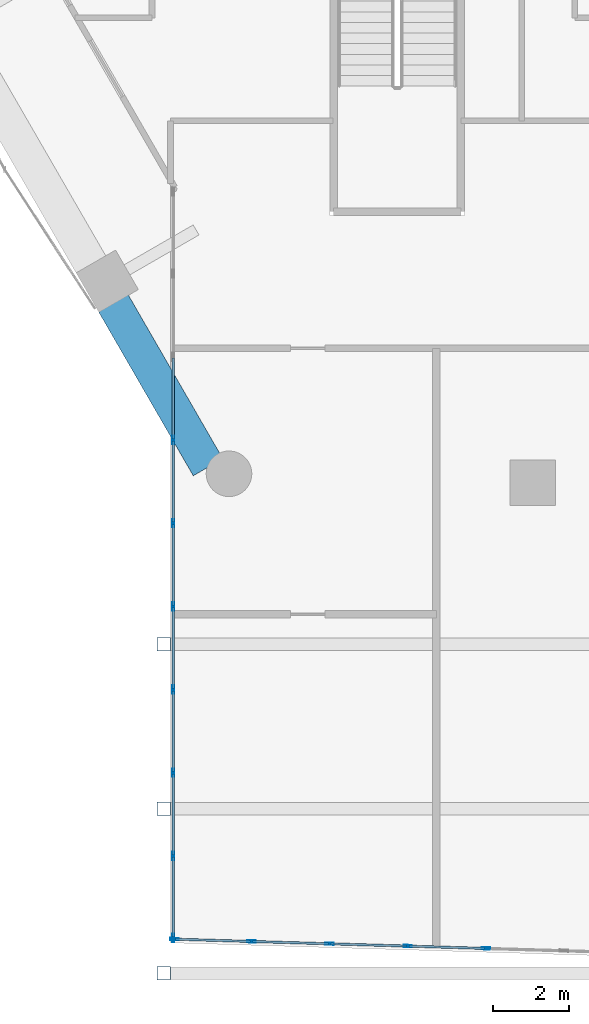
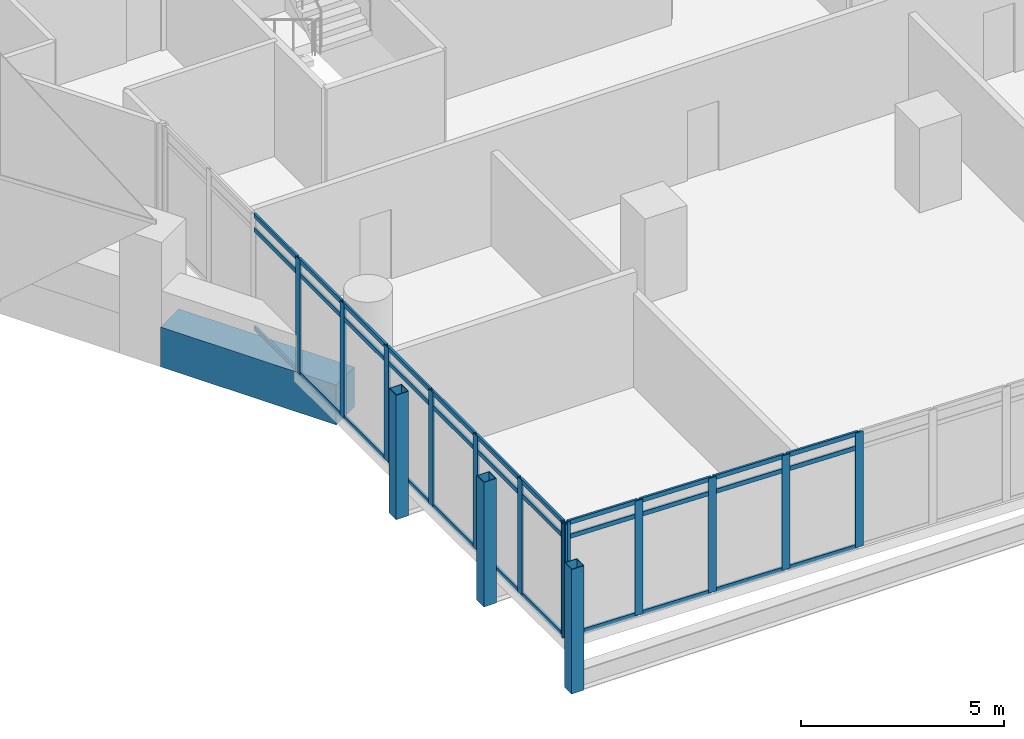
# One storey, part 2 of 36: 48 members, 1 beam, 2 elements without a shape of their own.
"""IFC4 building model written with IfcOpenShell, lengths in metres."""

import ifcopenshell
import ifcopenshell.guid

model = None  # the IFC model being written
_history = None  # IfcOwnerHistory: only IFC2X3 demands one
_inside = {}  # id of a spatial element -> (the spatial element, [elements in it])
_under = {}  # id of a project, library or spatial element -> (it, [spatial elements below it])
_declared = {}  # id of a project -> (the project, [libraries it declares])
_typed = {}  # id of a type object -> (the type object, [elements of that type])
_made_of = {}  # id of a material, layer set ... -> (it, [elements and type objects made of it])


def new_model(schema):
    """Start an empty IFC model of exactly this schema.

    Asked for "IFC4X3", IfcOpenShell would pick the latest addendum, in which some entities
    have other attributes; the version numbers below select the first issue.
    IFC2X3 requires an IfcOwnerHistory on every rooted entity: one is made here for all.
    """
    global model, _history
    if schema == "IFC4X3":
        model = ifcopenshell.file(schema_version=(4, 3, 0, 0))
    else:
        model = ifcopenshell.file(schema=schema)
    _inside.clear()
    _under.clear()
    _declared.clear()
    _typed.clear()
    _made_of.clear()
    _history = None
    if model.schema == "IFC2X3":
        org = make("IfcOrganization", Name="unknown")
        user = make(
            "IfcPersonAndOrganization",
            ThePerson=make("IfcPerson", FamilyName="unknown"),
            TheOrganization=org,
        )
        app = make(
            "IfcApplication",
            ApplicationDeveloper=org,
            Version="unknown",
            ApplicationFullName="unknown",
            ApplicationIdentifier="unknown",
        )
        _history = make(
            "IfcOwnerHistory",
            OwningUser=user,
            OwningApplication=app,
            ChangeAction="ADDED",
            CreationDate=0,
        )
    return model


def make(cls, **values):
    """One entity of the class cls with the attributes given. An attribute that is None is left unset."""
    return model.create_entity(
        cls, **{name: value for name, value in values.items() if value is not None}
    )


def rooted(cls, **values):
    """An entity with a GlobalId (a new one), such as an element, a storey or a relation."""
    return make(cls, GlobalId=ifcopenshell.guid.new(), OwnerHistory=_history, **values)


def si_unit(unit_type, name, prefix=None):
    """IfcSIUnit, for example si_unit("LENGTHUNIT", "METRE", prefix="MILLI")."""
    return make("IfcSIUnit", UnitType=unit_type, Prefix=prefix, Name=name)


def assignment(units):
    """IfcUnitAssignment: the units of a project."""
    return None if units is None else make("IfcUnitAssignment", Units=units)


def point(xyz):
    """IfcCartesianPoint."""
    return None if xyz is None else make("IfcCartesianPoint", Coordinates=xyz)


def direction(xyz):
    """IfcDirection."""
    return None if xyz is None else make("IfcDirection", DirectionRatios=xyz)


def frame(location, z_axis=None, x_axis=None):
    """IfcAxis2Placement3D, a coordinate frame: its origin and axes. An axis left out is left unset."""
    return make(
        "IfcAxis2Placement3D",
        Location=point(location),
        Axis=direction(z_axis),
        RefDirection=direction(x_axis),
    )


def frame_2d(location, x_axis=None):
    """IfcAxis2Placement2D, a coordinate frame in the plane: its origin and x axis."""
    return make(
        "IfcAxis2Placement2D", Location=point(location), RefDirection=direction(x_axis)
    )


def origin():
    """The frame at (0, 0, 0) with its axes left unset."""
    return frame((0.0, 0.0, 0.0))


def origin_2d():
    """The frame at (0, 0) in the plane with its x axis left unset."""
    return frame_2d((0.0, 0.0))


def place(relative_to, where):
    """IfcLocalPlacement: puts the frame where relative to a parent placement (None: the world)."""
    return make(
        "IfcLocalPlacement", PlacementRelTo=relative_to, RelativePlacement=where
    )


def context(
    kind, dimensions, precision=None, world=None, true_north=None, identifier=None
):
    """IfcGeometricRepresentationContext, for example the 3D "Model" context."""
    return make(
        "IfcGeometricRepresentationContext",
        ContextIdentifier=identifier,
        ContextType=kind,
        CoordinateSpaceDimension=dimensions,
        Precision=precision,
        WorldCoordinateSystem=world,
        TrueNorth=true_north,
    )


def subcontext(parent, identifier, kind, view, scale=None):
    """IfcGeometricRepresentationSubContext, for example "Body" below "Model"."""
    return make(
        "IfcGeometricRepresentationSubContext",
        ContextIdentifier=identifier,
        ContextType=kind,
        ParentContext=parent,
        TargetScale=scale,
        TargetView=view,
    )


def project(units=None, contexts=None):
    """IfcProject with its units and contexts."""
    return rooted(
        "IfcProject",
        Name="project",
        RepresentationContexts=contexts,
        UnitsInContext=assignment(units),
    )


def spatial(cls, under=None, at=None, **own):
    """A site, building, storey or space (cls), placed at a placement, below another one or the project."""
    s = rooted(cls, ObjectPlacement=at, **own)
    if under is not None:
        _under.setdefault(under.id(), (under, []))[1].append(s)
    return s


def profile(cls, at=None, kind="AREA", **sizes):
    """A parametric profile (cls). Its sizes go by their IFC names, for example OverallWidth=200.0."""
    return make(cls, ProfileType=kind, Position=at, **sizes)


def rectangle(**sizes):
    """IfcRectangleProfileDef."""
    return profile("IfcRectangleProfileDef", **sizes)


def hollow_rectangle(**sizes):
    """IfcRectangleHollowProfileDef."""
    return profile("IfcRectangleHollowProfileDef", **sizes)


def extrude(swept, where, along, depth):
    """IfcExtrudedAreaSolid: the profile swept, set in the frame where, extruded along a direction by depth."""
    return make(
        "IfcExtrudedAreaSolid",
        SweptArea=swept,
        Position=where,
        ExtrudedDirection=direction(along),
        Depth=depth,
    )


def shape(context_of_items, identifier, shape_type, items):
    """IfcShapeRepresentation: the items that make up one representation, for example the "Body"."""
    return make(
        "IfcShapeRepresentation",
        ContextOfItems=context_of_items,
        RepresentationIdentifier=identifier,
        RepresentationType=shape_type,
        Items=items,
    )


def material(Name=None, Category=None):
    """IfcMaterial."""
    return make("IfcMaterial", Name=Name, Category=Category)


def material_profile(
    of_material, cross_section, Name=None, Category=None, Priority=None
):
    """IfcMaterialProfile: a cross section and its material."""
    return make(
        "IfcMaterialProfile",
        Name=Name,
        Material=of_material,
        Profile=cross_section,
        Priority=Priority,
        Category=Category,
    )


def profile_set(profiles, Name=None, composite=None):
    """IfcMaterialProfileSet."""
    return make(
        "IfcMaterialProfileSet",
        Name=Name,
        MaterialProfiles=profiles,
        CompositeProfile=composite,
    )


def made_of(thing, what):
    """Note that an element or type object is made of a material, layer set ...; save() writes the relation."""
    if what is not None:
        _made_of.setdefault(what.id(), (what, []))[1].append(thing)
    return thing


def type_object(cls, material=None, **own):
    """A type object (cls), such as IfcWallType, which elements share."""
    return made_of(rooted(cls, **own), material)


def element(
    cls,
    number,
    at=None,
    inside=None,
    cuts=None,
    type_object=None,
    material=None,
    context=None,
    identifier="Body",
    shape_type=None,
    held_by="IfcProductDefinitionShape",
    body=None,
    shapes=None,
    **own,
):
    """One element of the class cls, such as IfcWall. Its Tag is "e" and its number.

    at: its placement. inside: the storey or other place that contains it. cuts: it is an
    opening in that element (IfcRelVoidsElement). A single representation is given by context,
    identifier, shape_type and body (its items); several are given by shapes. held_by: the class
    of the entity that holds the representations. save() writes the other relations.
    """
    e = rooted(cls, Tag="e%d" % number, ObjectPlacement=at, **own)
    if body is not None:
        shapes = [shape(context, identifier, shape_type, body)]
    if shapes is not None:
        e.Representation = make(held_by, Representations=shapes)
    if inside is not None:
        _inside.setdefault(inside.id(), (inside, []))[1].append(e)
    if cuts is not None:
        rooted(
            "IfcRelVoidsElement", RelatingBuildingElement=cuts, RelatedOpeningElement=e
        )
    if type_object is not None:
        _typed.setdefault(type_object.id(), (type_object, []))[1].append(e)
    return made_of(e, material)


def aggregate(whole, parts):
    """IfcRelAggregates: a whole, such as a stair, and the parts it consists of."""
    return rooted("IfcRelAggregates", RelatingObject=whole, RelatedObjects=parts)


def save(model, path):
    """Write the relations noted so far, then the file.

    IfcRelAggregates (storeys below a building ...), IfcRelContainedInSpatialStructure (elements
    in a storey), IfcRelDefinesByType, IfcRelAssociatesMaterial and IfcRelDeclares: one each for
    every whole, place, type object, material and project.
    """
    for whole, parts in _under.values():
        aggregate(whole, parts)
    for where, things in _inside.values():
        rooted(
            "IfcRelContainedInSpatialStructure",
            RelatedElements=things,
            RelatingStructure=where,
        )
    for kind, things in _typed.values():
        rooted("IfcRelDefinesByType", RelatedObjects=things, RelatingType=kind)
    for what, things in _made_of.values():
        rooted("IfcRelAssociatesMaterial", RelatedObjects=things, RelatingMaterial=what)
    for by, libraries in _declared.values():
        rooted("IfcRelDeclares", RelatingContext=by, RelatedDefinitions=libraries)
    model.write(path)


model = new_model("IFC4")

# Units and contexts
model_context = context("Model", 3, precision=1e-05, world=origin(), true_north=direction((0.0, 1.0)))
body_context = subcontext(model_context, "Body", "Model", "MODEL_VIEW")
ifc_project = project(units=[si_unit("LENGTHUNIT", "METRE"), si_unit("AREAUNIT", "SQUARE_METRE"), si_unit("VOLUMEUNIT", "CUBIC_METRE"), si_unit("PLANEANGLEUNIT", "RADIAN"), si_unit("MASSUNIT", "GRAM", prefix="KILO")], contexts=[model_context])

# Site, building, storey
site_placement = place(None, origin())
site = spatial("IfcSite", under=ifc_project, at=site_placement, CompositionType="ELEMENT")
building_placement = place(site_placement, origin())
building = spatial("IfcBuilding", under=site, at=building_placement, Name="Ostrander Bayou Hotel Tower", CompositionType="ELEMENT")
storey_placement = place(building_placement, frame((0.0, 0.0, 138.5)))
storey = spatial("IfcBuildingStorey", under=building, at=storey_placement, Name="L34", CompositionType="ELEMENT", Elevation=138.5)

# Curtain wall, members
ifc_material_1 = material(Name="Aluminium and clear glass", Category="aluminium")
curtain_wall_type = type_object("IfcCurtainWallType", Name="CW-BAR glazed wall", PredefinedType="NOTDEFINED", material=ifc_material_1)
curtain_wall_1_placement = place(storey_placement, origin())
curtain_wall_1 = element("IfcCurtainWall", 1, at=curtain_wall_1_placement, inside=storey, type_object=curtain_wall_type, Name="CW-BAR L34:SB3S:E", PredefinedType="NOTDEFINED")
ifc_material_2 = material(Name="Aluminium", Category="aluminium")
ifc_material_profile_1 = material_profile(ifc_material_2, hollow_rectangle(XDim=0.06005859375, YDim=0.219970703125, WallThickness=0.00390625, at=origin_2d()))
ifc_profile_set_1 = profile_set([ifc_material_profile_1], Name="Aluminium")
member_type_1 = type_object("IfcMemberType", Name="CW-BR mullion 60 x 220 mm", PredefinedType="MULLION", material=ifc_profile_set_1)
member_1_placement = place(storey_placement, frame((-13.3671875, -17.41552734375, 0.0), z_axis=(0.0, 0.0, 1.0), x_axis=(1.0, 0.0, 0.0)))
member_1 = element("IfcMember", 2, at=member_1_placement, type_object=member_type_1, Name="CW-BAR mullion 4", PredefinedType="MULLION", context=body_context, shape_type="SweptSolid", body=[
    extrude(hollow_rectangle(XDim=0.06005859375, YDim=0.219970703125, WallThickness=0.00390625, at=origin_2d()), origin(), (0.0, 0.0, 1.0), 3.449951171875),
])
member_2_placement = place(storey_placement, frame((-13.3671875, -19.60498046875, 0.0), z_axis=(0.0, 0.0, 1.0), x_axis=(1.0, 0.0, 0.0)))
member_2 = element("IfcMember", 3, at=member_2_placement, type_object=member_type_1, Name="CW-BAR mullion 5", PredefinedType="MULLION", context=body_context, shape_type="SweptSolid", body=[
    extrude(hollow_rectangle(XDim=0.06005859375, YDim=0.219970703125, WallThickness=0.00390625, at=origin_2d()), origin(), (0.0, 0.0, 1.0), 3.449951171875),
])
member_3_placement = place(storey_placement, frame((-13.3671875, -21.79443359375, 0.0), z_axis=(0.0, 0.0, 1.0), x_axis=(1.0, 0.0, 0.0)))
member_3 = element("IfcMember", 4, at=member_3_placement, type_object=member_type_1, Name="CW-BAR mullion 6", PredefinedType="MULLION", context=body_context, shape_type="SweptSolid", body=[
    extrude(hollow_rectangle(XDim=0.06005859375, YDim=0.219970703125, WallThickness=0.00390625, at=origin_2d()), origin(), (0.0, 0.0, 1.0), 3.449951171875),
])
member_4_placement = place(storey_placement, frame((-13.3671875, -23.98388671875, 0.0), z_axis=(0.0, 0.0, 1.0), x_axis=(1.0, 0.0, 0.0)))
member_4 = element("IfcMember", 5, at=member_4_placement, type_object=member_type_1, Name="CW-BAR mullion 7", PredefinedType="MULLION", context=body_context, shape_type="SweptSolid", body=[
    extrude(hollow_rectangle(XDim=0.06005859375, YDim=0.219970703125, WallThickness=0.00390625, at=origin_2d()), origin(), (0.0, 0.0, 1.0), 3.449951171875),
])
member_5_placement = place(storey_placement, frame((-13.3671875, -26.17333984375, 0.0), z_axis=(0.0, 0.0, 1.0), x_axis=(1.0, 0.0, 0.0)))
member_5 = element("IfcMember", 6, at=member_5_placement, type_object=member_type_1, Name="CW-BAR mullion 8", PredefinedType="MULLION", context=body_context, shape_type="SweptSolid", body=[
    extrude(hollow_rectangle(XDim=0.06005859375, YDim=0.219970703125, WallThickness=0.00390625, at=origin_2d()), origin(), (0.0, 0.0, 1.0), 3.449951171875),
])
member_6_placement = place(storey_placement, frame((-13.3671875, -28.36279296875, 0.0), z_axis=(0.0, 0.0, 1.0), x_axis=(1.0, 0.0, 0.0)))
member_6 = element("IfcMember", 7, at=member_6_placement, type_object=member_type_1, Name="CW-BAR mullion 9", PredefinedType="MULLION", context=body_context, shape_type="SweptSolid", body=[
    extrude(hollow_rectangle(XDim=0.06005859375, YDim=0.219970703125, WallThickness=0.00390625, at=origin_2d()), origin(), (0.0, 0.0, 1.0), 3.449951171875),
])
member_7_placement = place(storey_placement, frame((-13.3671875, -30.522216796875, 0.0), z_axis=(0.0, 0.0, 1.0), x_axis=(1.0, 0.0, 0.0)))
member_7 = element("IfcMember", 8, at=member_7_placement, type_object=member_type_1, Name="CW-BAR mullion 10", PredefinedType="MULLION", context=body_context, shape_type="SweptSolid", body=[
    extrude(hollow_rectangle(XDim=0.06005859375, YDim=0.219970703125, WallThickness=0.00390625, at=origin_2d()), origin(), (0.0, 0.0, 1.0), 3.449951171875),
])

curtain_wall_2_placement = place(storey_placement, origin())
curtain_wall_2 = element("IfcCurtainWall", 9, at=curtain_wall_2_placement, inside=storey, type_object=curtain_wall_type, Name="CW-BAR L34:SB3S:T", PredefinedType="NOTDEFINED")
member_8_placement = place(storey_placement, frame((-13.337158203125, -30.552978515625, 0.0), z_axis=(0.0, 0.0, 1.0), x_axis=(0.029746242041, 0.999557482631, 0.0)))
member_8 = element("IfcMember", 10, at=member_8_placement, type_object=member_type_1, Name="CW-BAR mullion 1", PredefinedType="MULLION", context=body_context, shape_type="SweptSolid", body=[
    extrude(hollow_rectangle(XDim=0.06005859375, YDim=0.219970703125, WallThickness=0.00390625, at=origin_2d()), origin(), (0.0, 0.0, 1.0), 3.449951171875),
])
member_9_placement = place(storey_placement, frame((-11.310791015625, -30.61328125, 0.0), z_axis=(0.0, 0.0, 1.0), x_axis=(0.029746242041, 0.999557482631, 0.0)))
member_9 = element("IfcMember", 11, at=member_9_placement, type_object=member_type_1, Name="CW-BAR mullion 2", PredefinedType="MULLION", context=body_context, shape_type="SweptSolid", body=[
    extrude(hollow_rectangle(XDim=0.06005859375, YDim=0.219970703125, WallThickness=0.00390625, at=origin_2d()), origin(), (0.0, 0.0, 1.0), 3.449951171875),
])
member_10_placement = place(storey_placement, frame((-9.254150390625, -30.674560546875, 0.0), z_axis=(0.0, 0.0, 1.0), x_axis=(0.029746242041, 0.999557482631, 0.0)))
member_10 = element("IfcMember", 12, at=member_10_placement, type_object=member_type_1, Name="CW-BAR mullion 3", PredefinedType="MULLION", context=body_context, shape_type="SweptSolid", body=[
    extrude(hollow_rectangle(XDim=0.06005859375, YDim=0.219970703125, WallThickness=0.00390625, at=origin_2d()), origin(), (0.0, 0.0, 1.0), 3.449951171875),
])
member_11_placement = place(storey_placement, frame((-7.19775390625, -30.73583984375, 0.0), z_axis=(0.0, 0.0, 1.0), x_axis=(0.029746242041, 0.999557482631, 0.0)))
member_11 = element("IfcMember", 13, at=member_11_placement, type_object=member_type_1, Name="CW-BAR mullion 4", PredefinedType="MULLION", context=body_context, shape_type="SweptSolid", body=[
    extrude(hollow_rectangle(XDim=0.06005859375, YDim=0.219970703125, WallThickness=0.00390625, at=origin_2d()), origin(), (0.0, 0.0, 1.0), 3.449951171875),
])
member_12_placement = place(storey_placement, frame((-5.14111328125, -30.797119140625, 0.0), z_axis=(0.0, 0.0, 1.0), x_axis=(0.029746242041, 0.999557482631, 0.0)))
member_12 = element("IfcMember", 14, at=member_12_placement, type_object=member_type_1, Name="CW-BAR mullion 5", PredefinedType="MULLION", context=body_context, shape_type="SweptSolid", body=[
    extrude(hollow_rectangle(XDim=0.06005859375, YDim=0.219970703125, WallThickness=0.00390625, at=origin_2d()), origin(), (0.0, 0.0, 1.0), 3.449951171875),
])

# Member
ifc_material_3 = material(Name="Aluminium", Category="aluminium")
ifc_material_profile_2 = material_profile(ifc_material_3, hollow_rectangle(XDim=0.06005859375, YDim=0.1298828125, WallThickness=0.00390625, at=origin_2d()))
ifc_profile_set_2 = profile_set([ifc_material_profile_2], Name="Aluminium")
member_type_2 = type_object("IfcMemberType", Name="CW-BR transom 60 x 130 mm", PredefinedType="USERDEFINED", material=ifc_profile_set_2)
member_13_placement = place(storey_placement, frame((-13.3671875, -15.256103515625, 0.030029296875), z_axis=(0.0, -1.0, 0.0), x_axis=(1.0, 0.0, 0.0)))
member_13 = element("IfcMember", 15, at=member_13_placement, type_object=member_type_2, Name="CW-BAR transom 3.1", ObjectType="TRANSOM", PredefinedType="USERDEFINED", context=body_context, shape_type="SweptSolid", body=[
    extrude(hollow_rectangle(XDim=0.06005859375, YDim=0.1298828125, WallThickness=0.00390625, at=origin_2d()), origin(), (0.0, 0.0, 1.0), 2.12939453125),
])

member_14_placement = place(storey_placement, frame((-13.3671875, -15.256103515625, 3.0), z_axis=(0.0, -1.0, 0.0), x_axis=(1.0, 0.0, 0.0)))
member_14 = element("IfcMember", 16, at=member_14_placement, type_object=member_type_2, Name="CW-BAR transom 3.2", ObjectType="TRANSOM", PredefinedType="USERDEFINED", context=body_context, shape_type="SweptSolid", body=[
    extrude(hollow_rectangle(XDim=0.06005859375, YDim=0.1298828125, WallThickness=0.00390625, at=origin_2d()), origin(), (0.0, 0.0, 1.0), 2.12939453125),
])

member_15_placement = place(storey_placement, frame((-13.3671875, -15.256103515625, 3.419921875), z_axis=(0.0, -1.0, 0.0), x_axis=(1.0, 0.0, 0.0)))
member_15 = element("IfcMember", 17, at=member_15_placement, type_object=member_type_2, Name="CW-BAR transom 3.3", ObjectType="TRANSOM", PredefinedType="USERDEFINED", context=body_context, shape_type="SweptSolid", body=[
    extrude(hollow_rectangle(XDim=0.06005859375, YDim=0.1298828125, WallThickness=0.00390625, at=origin_2d()), origin(), (0.0, 0.0, 1.0), 2.12939453125),
])

member_16_placement = place(storey_placement, frame((-13.3671875, -17.445556640625, 0.030029296875), z_axis=(0.0, -1.0, 0.0), x_axis=(1.0, 0.0, 0.0)))
member_16 = element("IfcMember", 18, at=member_16_placement, type_object=member_type_2, Name="CW-BAR transom 4.1", ObjectType="TRANSOM", PredefinedType="USERDEFINED", context=body_context, shape_type="SweptSolid", body=[
    extrude(hollow_rectangle(XDim=0.06005859375, YDim=0.1298828125, WallThickness=0.00390625, at=origin_2d()), origin(), (0.0, 0.0, 1.0), 2.12939453125),
])

member_17_placement = place(storey_placement, frame((-13.3671875, -17.445556640625, 3.0), z_axis=(0.0, -1.0, 0.0), x_axis=(1.0, 0.0, 0.0)))
member_17 = element("IfcMember", 19, at=member_17_placement, type_object=member_type_2, Name="CW-BAR transom 4.2", ObjectType="TRANSOM", PredefinedType="USERDEFINED", context=body_context, shape_type="SweptSolid", body=[
    extrude(hollow_rectangle(XDim=0.06005859375, YDim=0.1298828125, WallThickness=0.00390625, at=origin_2d()), origin(), (0.0, 0.0, 1.0), 2.12939453125),
])

member_18_placement = place(storey_placement, frame((-13.3671875, -17.445556640625, 3.419921875), z_axis=(0.0, -1.0, 0.0), x_axis=(1.0, 0.0, 0.0)))
member_18 = element("IfcMember", 20, at=member_18_placement, type_object=member_type_2, Name="CW-BAR transom 4.3", ObjectType="TRANSOM", PredefinedType="USERDEFINED", context=body_context, shape_type="SweptSolid", body=[
    extrude(hollow_rectangle(XDim=0.06005859375, YDim=0.1298828125, WallThickness=0.00390625, at=origin_2d()), origin(), (0.0, 0.0, 1.0), 2.12939453125),
])

member_19_placement = place(storey_placement, frame((-13.3671875, -19.635009765625, 0.030029296875), z_axis=(0.0, -1.0, 0.0), x_axis=(1.0, 0.0, 0.0)))
member_19 = element("IfcMember", 21, at=member_19_placement, type_object=member_type_2, Name="CW-BAR transom 5.1", ObjectType="TRANSOM", PredefinedType="USERDEFINED", context=body_context, shape_type="SweptSolid", body=[
    extrude(hollow_rectangle(XDim=0.06005859375, YDim=0.1298828125, WallThickness=0.00390625, at=origin_2d()), origin(), (0.0, 0.0, 1.0), 2.12939453125),
])

member_20_placement = place(storey_placement, frame((-13.3671875, -19.635009765625, 3.0), z_axis=(0.0, -1.0, 0.0), x_axis=(1.0, 0.0, 0.0)))
member_20 = element("IfcMember", 22, at=member_20_placement, type_object=member_type_2, Name="CW-BAR transom 5.2", ObjectType="TRANSOM", PredefinedType="USERDEFINED", context=body_context, shape_type="SweptSolid", body=[
    extrude(hollow_rectangle(XDim=0.06005859375, YDim=0.1298828125, WallThickness=0.00390625, at=origin_2d()), origin(), (0.0, 0.0, 1.0), 2.12939453125),
])

member_21_placement = place(storey_placement, frame((-13.3671875, -19.635009765625, 3.419921875), z_axis=(0.0, -1.0, 0.0), x_axis=(1.0, 0.0, 0.0)))
member_21 = element("IfcMember", 23, at=member_21_placement, type_object=member_type_2, Name="CW-BAR transom 5.3", ObjectType="TRANSOM", PredefinedType="USERDEFINED", context=body_context, shape_type="SweptSolid", body=[
    extrude(hollow_rectangle(XDim=0.06005859375, YDim=0.1298828125, WallThickness=0.00390625, at=origin_2d()), origin(), (0.0, 0.0, 1.0), 2.12939453125),
])

member_22_placement = place(storey_placement, frame((-13.3671875, -21.824462890625, 0.030029296875), z_axis=(0.0, -1.0, 0.0), x_axis=(1.0, 0.0, 0.0)))
member_22 = element("IfcMember", 24, at=member_22_placement, type_object=member_type_2, Name="CW-BAR transom 6.1", ObjectType="TRANSOM", PredefinedType="USERDEFINED", context=body_context, shape_type="SweptSolid", body=[
    extrude(hollow_rectangle(XDim=0.06005859375, YDim=0.1298828125, WallThickness=0.00390625, at=origin_2d()), origin(), (0.0, 0.0, 1.0), 2.12939453125),
])

member_23_placement = place(storey_placement, frame((-13.3671875, -21.824462890625, 3.0), z_axis=(0.0, -1.0, 0.0), x_axis=(1.0, 0.0, 0.0)))
member_23 = element("IfcMember", 25, at=member_23_placement, type_object=member_type_2, Name="CW-BAR transom 6.2", ObjectType="TRANSOM", PredefinedType="USERDEFINED", context=body_context, shape_type="SweptSolid", body=[
    extrude(hollow_rectangle(XDim=0.06005859375, YDim=0.1298828125, WallThickness=0.00390625, at=origin_2d()), origin(), (0.0, 0.0, 1.0), 2.12939453125),
])

member_24_placement = place(storey_placement, frame((-13.3671875, -21.824462890625, 3.419921875), z_axis=(0.0, -1.0, 0.0), x_axis=(1.0, 0.0, 0.0)))
member_24 = element("IfcMember", 26, at=member_24_placement, type_object=member_type_2, Name="CW-BAR transom 6.3", ObjectType="TRANSOM", PredefinedType="USERDEFINED", context=body_context, shape_type="SweptSolid", body=[
    extrude(hollow_rectangle(XDim=0.06005859375, YDim=0.1298828125, WallThickness=0.00390625, at=origin_2d()), origin(), (0.0, 0.0, 1.0), 2.12939453125),
])

member_25_placement = place(storey_placement, frame((-13.3671875, -24.013916015625, 0.030029296875), z_axis=(0.0, -1.0, 0.0), x_axis=(1.0, 0.0, 0.0)))
member_25 = element("IfcMember", 27, at=member_25_placement, type_object=member_type_2, Name="CW-BAR transom 7.1", ObjectType="TRANSOM", PredefinedType="USERDEFINED", context=body_context, shape_type="SweptSolid", body=[
    extrude(hollow_rectangle(XDim=0.06005859375, YDim=0.1298828125, WallThickness=0.00390625, at=origin_2d()), origin(), (0.0, 0.0, 1.0), 2.12939453125),
])

member_26_placement = place(storey_placement, frame((-13.3671875, -24.013916015625, 3.0), z_axis=(0.0, -1.0, 0.0), x_axis=(1.0, 0.0, 0.0)))
member_26 = element("IfcMember", 28, at=member_26_placement, type_object=member_type_2, Name="CW-BAR transom 7.2", ObjectType="TRANSOM", PredefinedType="USERDEFINED", context=body_context, shape_type="SweptSolid", body=[
    extrude(hollow_rectangle(XDim=0.06005859375, YDim=0.1298828125, WallThickness=0.00390625, at=origin_2d()), origin(), (0.0, 0.0, 1.0), 2.12939453125),
])

member_27_placement = place(storey_placement, frame((-13.3671875, -24.013916015625, 3.419921875), z_axis=(0.0, -1.0, 0.0), x_axis=(1.0, 0.0, 0.0)))
member_27 = element("IfcMember", 29, at=member_27_placement, type_object=member_type_2, Name="CW-BAR transom 7.3", ObjectType="TRANSOM", PredefinedType="USERDEFINED", context=body_context, shape_type="SweptSolid", body=[
    extrude(hollow_rectangle(XDim=0.06005859375, YDim=0.1298828125, WallThickness=0.00390625, at=origin_2d()), origin(), (0.0, 0.0, 1.0), 2.12939453125),
])

member_28_placement = place(storey_placement, frame((-13.3671875, -26.203369140625, 0.030029296875), z_axis=(0.0, -1.0, 0.0), x_axis=(1.0, 0.0, 0.0)))
member_28 = element("IfcMember", 30, at=member_28_placement, type_object=member_type_2, Name="CW-BAR transom 8.1", ObjectType="TRANSOM", PredefinedType="USERDEFINED", context=body_context, shape_type="SweptSolid", body=[
    extrude(hollow_rectangle(XDim=0.06005859375, YDim=0.1298828125, WallThickness=0.00390625, at=origin_2d()), origin(), (0.0, 0.0, 1.0), 2.12939453125),
])

member_29_placement = place(storey_placement, frame((-13.3671875, -26.203369140625, 3.0), z_axis=(0.0, -1.0, 0.0), x_axis=(1.0, 0.0, 0.0)))
member_29 = element("IfcMember", 31, at=member_29_placement, type_object=member_type_2, Name="CW-BAR transom 8.2", ObjectType="TRANSOM", PredefinedType="USERDEFINED", context=body_context, shape_type="SweptSolid", body=[
    extrude(hollow_rectangle(XDim=0.06005859375, YDim=0.1298828125, WallThickness=0.00390625, at=origin_2d()), origin(), (0.0, 0.0, 1.0), 2.12939453125),
])

member_30_placement = place(storey_placement, frame((-13.3671875, -26.203369140625, 3.419921875), z_axis=(0.0, -1.0, 0.0), x_axis=(1.0, 0.0, 0.0)))
member_30 = element("IfcMember", 32, at=member_30_placement, type_object=member_type_2, Name="CW-BAR transom 8.3", ObjectType="TRANSOM", PredefinedType="USERDEFINED", context=body_context, shape_type="SweptSolid", body=[
    extrude(hollow_rectangle(XDim=0.06005859375, YDim=0.1298828125, WallThickness=0.00390625, at=origin_2d()), origin(), (0.0, 0.0, 1.0), 2.12939453125),
])

member_31_placement = place(storey_placement, frame((-13.3671875, -28.392822265625, 0.030029296875), z_axis=(0.0, -1.0, 0.0), x_axis=(1.0, 0.0, 0.0)))
member_31 = element("IfcMember", 33, at=member_31_placement, type_object=member_type_2, Name="CW-BAR transom 9.1", ObjectType="TRANSOM", PredefinedType="USERDEFINED", context=body_context, shape_type="SweptSolid", body=[
    extrude(hollow_rectangle(XDim=0.06005859375, YDim=0.1298828125, WallThickness=0.00390625, at=origin_2d()), origin(), (0.0, 0.0, 1.0), 2.099365234375),
])

member_32_placement = place(storey_placement, frame((-13.3671875, -28.392822265625, 3.0), z_axis=(0.0, -1.0, 0.0), x_axis=(1.0, 0.0, 0.0)))
member_32 = element("IfcMember", 34, at=member_32_placement, type_object=member_type_2, Name="CW-BAR transom 9.2", ObjectType="TRANSOM", PredefinedType="USERDEFINED", context=body_context, shape_type="SweptSolid", body=[
    extrude(hollow_rectangle(XDim=0.06005859375, YDim=0.1298828125, WallThickness=0.00390625, at=origin_2d()), origin(), (0.0, 0.0, 1.0), 2.099365234375),
])

member_33_placement = place(storey_placement, frame((-13.3671875, -28.392822265625, 3.419921875), z_axis=(0.0, -1.0, 0.0), x_axis=(1.0, 0.0, 0.0)))
member_33 = element("IfcMember", 35, at=member_33_placement, type_object=member_type_2, Name="CW-BAR transom 9.3", ObjectType="TRANSOM", PredefinedType="USERDEFINED", context=body_context, shape_type="SweptSolid", body=[
    extrude(hollow_rectangle(XDim=0.06005859375, YDim=0.1298828125, WallThickness=0.00390625, at=origin_2d()), origin(), (0.0, 0.0, 1.0), 2.099365234375),
])

aggregate(curtain_wall_1, [member_1, member_2, member_3, member_4, member_5, member_6, member_7, member_13, member_14, member_15, member_16, member_17, member_18, member_19, member_20, member_21, member_22, member_23, member_24, member_25, member_26, member_27, member_28, member_29, member_30, member_31, member_32, member_33])

member_34_placement = place(storey_placement, frame((-13.30712890625, -30.553955078125, 0.030029296875), z_axis=(0.999556419591, -0.029781941738, 0.0), x_axis=(0.029781941738, 0.999556419591, 0.0)))
member_34 = element("IfcMember", 36, at=member_34_placement, type_object=member_type_2, Name="CW-BAR transom 1.1", ObjectType="TRANSOM", PredefinedType="USERDEFINED", context=body_context, shape_type="SweptSolid", body=[
    extrude(hollow_rectangle(XDim=0.06005859375, YDim=0.1298828125, WallThickness=0.00390625, at=origin_2d()), origin(), (0.0, 0.0, 1.0), 1.967529296875),
])

member_35_placement = place(storey_placement, frame((-13.30712890625, -30.553955078125, 3.0), z_axis=(0.999556419591, -0.029781941738, 0.0), x_axis=(0.029781941738, 0.999556419591, 0.0)))
member_35 = element("IfcMember", 37, at=member_35_placement, type_object=member_type_2, Name="CW-BAR transom 1.2", ObjectType="TRANSOM", PredefinedType="USERDEFINED", context=body_context, shape_type="SweptSolid", body=[
    extrude(hollow_rectangle(XDim=0.06005859375, YDim=0.1298828125, WallThickness=0.00390625, at=origin_2d()), origin(), (0.0, 0.0, 1.0), 1.967529296875),
])

member_36_placement = place(storey_placement, frame((-13.30712890625, -30.553955078125, 3.419921875), z_axis=(0.999556419591, -0.029781941738, 0.0), x_axis=(0.029781941738, 0.999556419591, 0.0)))
member_36 = element("IfcMember", 38, at=member_36_placement, type_object=member_type_2, Name="CW-BAR transom 1.3", ObjectType="TRANSOM", PredefinedType="USERDEFINED", context=body_context, shape_type="SweptSolid", body=[
    extrude(hollow_rectangle(XDim=0.06005859375, YDim=0.1298828125, WallThickness=0.00390625, at=origin_2d()), origin(), (0.0, 0.0, 1.0), 1.967529296875),
])

member_37_placement = place(storey_placement, frame((-11.28076171875, -30.6142578125, 0.030029296875), z_axis=(0.999555199151, -0.029822874614, 0.0), x_axis=(0.029822874614, 0.999555199151, 0.0)))
member_37 = element("IfcMember", 39, at=member_37_placement, type_object=member_type_2, Name="CW-BAR transom 2.1", ObjectType="TRANSOM", PredefinedType="USERDEFINED", context=body_context, shape_type="SweptSolid", body=[
    extrude(hollow_rectangle(XDim=0.06005859375, YDim=0.1298828125, WallThickness=0.00390625, at=origin_2d()), origin(), (0.0, 0.0, 1.0), 1.99755859375),
])

member_38_placement = place(storey_placement, frame((-11.28076171875, -30.6142578125, 3.0), z_axis=(0.999555199151, -0.029822874614, 0.0), x_axis=(0.029822874614, 0.999555199151, 0.0)))
member_38 = element("IfcMember", 40, at=member_38_placement, type_object=member_type_2, Name="CW-BAR transom 2.2", ObjectType="TRANSOM", PredefinedType="USERDEFINED", context=body_context, shape_type="SweptSolid", body=[
    extrude(hollow_rectangle(XDim=0.06005859375, YDim=0.1298828125, WallThickness=0.00390625, at=origin_2d()), origin(), (0.0, 0.0, 1.0), 1.99755859375),
])

member_39_placement = place(storey_placement, frame((-11.28076171875, -30.6142578125, 3.419921875), z_axis=(0.999555199151, -0.029822874614, 0.0), x_axis=(0.029822874614, 0.999555199151, 0.0)))
member_39 = element("IfcMember", 41, at=member_39_placement, type_object=member_type_2, Name="CW-BAR transom 2.3", ObjectType="TRANSOM", PredefinedType="USERDEFINED", context=body_context, shape_type="SweptSolid", body=[
    extrude(hollow_rectangle(XDim=0.06005859375, YDim=0.1298828125, WallThickness=0.00390625, at=origin_2d()), origin(), (0.0, 0.0, 1.0), 1.99755859375),
])

member_40_placement = place(storey_placement, frame((-9.22412109375, -30.675537109375, 0.030029296875), z_axis=(0.999558727342, -0.029704386785, 0.0), x_axis=(0.029704386785, 0.999558727342, 0.0)))
member_40 = element("IfcMember", 42, at=member_40_placement, type_object=member_type_2, Name="CW-BAR transom 3.1", ObjectType="TRANSOM", PredefinedType="USERDEFINED", context=body_context, shape_type="SweptSolid", body=[
    extrude(hollow_rectangle(XDim=0.06005859375, YDim=0.1298828125, WallThickness=0.00390625, at=origin_2d()), origin(), (0.0, 0.0, 1.0), 1.997314453125),
])

member_41_placement = place(storey_placement, frame((-9.22412109375, -30.675537109375, 3.0), z_axis=(0.999558727342, -0.029704386785, 0.0), x_axis=(0.029704386785, 0.999558727342, 0.0)))
member_41 = element("IfcMember", 43, at=member_41_placement, type_object=member_type_2, Name="CW-BAR transom 3.2", ObjectType="TRANSOM", PredefinedType="USERDEFINED", context=body_context, shape_type="SweptSolid", body=[
    extrude(hollow_rectangle(XDim=0.06005859375, YDim=0.1298828125, WallThickness=0.00390625, at=origin_2d()), origin(), (0.0, 0.0, 1.0), 1.997314453125),
])

member_42_placement = place(storey_placement, frame((-9.22412109375, -30.675537109375, 3.419921875), z_axis=(0.999558727342, -0.029704386785, 0.0), x_axis=(0.029704386785, 0.999558727342, 0.0)))
member_42 = element("IfcMember", 44, at=member_42_placement, type_object=member_type_2, Name="CW-BAR transom 3.3", ObjectType="TRANSOM", PredefinedType="USERDEFINED", context=body_context, shape_type="SweptSolid", body=[
    extrude(hollow_rectangle(XDim=0.06005859375, YDim=0.1298828125, WallThickness=0.00390625, at=origin_2d()), origin(), (0.0, 0.0, 1.0), 1.997314453125),
])

member_43_placement = place(storey_placement, frame((-7.167724609375, -30.736572265625, 0.030029296875), z_axis=(0.999555199151, -0.029822874614, 0.0), x_axis=(0.029822874614, 0.999555199151, 0.0)))
member_43 = element("IfcMember", 45, at=member_43_placement, type_object=member_type_2, Name="CW-BAR transom 4.1", ObjectType="TRANSOM", PredefinedType="USERDEFINED", context=body_context, shape_type="SweptSolid", body=[
    extrude(hollow_rectangle(XDim=0.06005859375, YDim=0.1298828125, WallThickness=0.00390625, at=origin_2d()), origin(), (0.0, 0.0, 1.0), 1.99755859375),
])

member_44_placement = place(storey_placement, frame((-7.167724609375, -30.736572265625, 3.0), z_axis=(0.999555199151, -0.029822874614, 0.0), x_axis=(0.029822874614, 0.999555199151, 0.0)))
member_44 = element("IfcMember", 46, at=member_44_placement, type_object=member_type_2, Name="CW-BAR transom 4.2", ObjectType="TRANSOM", PredefinedType="USERDEFINED", context=body_context, shape_type="SweptSolid", body=[
    extrude(hollow_rectangle(XDim=0.06005859375, YDim=0.1298828125, WallThickness=0.00390625, at=origin_2d()), origin(), (0.0, 0.0, 1.0), 1.99755859375),
])

member_45_placement = place(storey_placement, frame((-7.167724609375, -30.736572265625, 3.419921875), z_axis=(0.999555199151, -0.029822874614, 0.0), x_axis=(0.029822874614, 0.999555199151, 0.0)))
member_45 = element("IfcMember", 47, at=member_45_placement, type_object=member_type_2, Name="CW-BAR transom 4.3", ObjectType="TRANSOM", PredefinedType="USERDEFINED", context=body_context, shape_type="SweptSolid", body=[
    extrude(hollow_rectangle(XDim=0.06005859375, YDim=0.1298828125, WallThickness=0.00390625, at=origin_2d()), origin(), (0.0, 0.0, 1.0), 1.99755859375),
])

aggregate(curtain_wall_2, [member_8, member_9, member_10, member_11, member_12, member_34, member_35, member_36, member_37, member_38, member_39, member_40, member_41, member_42, member_43, member_44, member_45])

# Beam
ifc_material_4 = material(Name="Concrete f'c 70 MPa", Category="concrete")
ifc_material_profile_3 = material_profile(ifc_material_4, rectangle(XDim=0.89990234375, YDim=1.199951171875, at=origin_2d()))
ifc_profile_set_3 = profile_set([ifc_material_profile_3], Name="Concrete f'c 70 MPa")
beam_type = type_object("IfcBeamType", Name="SP2 spandrel beam 900 x 1200 mm f'c 70 MPa", PredefinedType="SPANDREL", material=ifc_profile_set_3)
beam_placement = place(storey_placement, frame((-14.9521484375, -13.802001953125, -0.60009765625), z_axis=(0.499974782844, -0.866039962427, 0.0), x_axis=(0.866039962427, 0.499974782844, 0.0)))
element("IfcBeam", 48, at=beam_placement, inside=storey, type_object=beam_type, Name="SP2 L34 SW-3", PredefinedType="SPANDREL", context=body_context, shape_type="SweptSolid", body=[
    extrude(rectangle(XDim=0.89990234375, YDim=1.199951171875, at=origin_2d()), origin(), (0.0, 0.0, 1.0), 4.997314453125),
])

# Members
ifc_material_5 = material(Name="Steel ASTM A500 Gr C", Category="steel")
ifc_material_profile_4 = material_profile(ifc_material_5, hollow_rectangle(XDim=0.355712890625, YDim=0.355712890625, WallThickness=0.0146484375, at=origin_2d()))
ifc_profile_set_4 = profile_set([ifc_material_profile_4], Name="Steel ASTM A500 Gr C")
member_type_3 = type_object("IfcMemberType", Name="TH1 bar hanger HSS14x14x5/8", PredefinedType="POST", material=ifc_profile_set_4)
for number, where, z_axis, x_axis, name in (
    (49, (-13.6201171875, -22.794677734375, -0.921875), (0.0, 0.0, 1.0), (1.0, 0.0, 0.0), "TH1 SB3SA H1-3"),
    (50, (-13.6201171875, -27.122314453125, -0.921875), (0.0, 0.0, 1.0), (1.0, 0.0, 0.0), "TH1 SB3SA H2-3"),
    (51, (-13.6201171875, -31.449951171875, -0.921875), (0.0, 0.0, 1.0), (1.0, 0.0, 0.0), "TH1 SB3SA H3-3"),
):
    element("IfcMember", number, at=place(storey_placement, frame(where, z_axis=z_axis, x_axis=x_axis)), inside=storey, type_object=member_type_3, Name=name, PredefinedType="POST", context=body_context, shape_type="SweptSolid", body=[
        extrude(hollow_rectangle(XDim=0.355712890625, YDim=0.355712890625, WallThickness=0.0146484375, at=origin_2d()), origin(), (0.0, 0.0, 1.0), 3.75),
    ])

save(model, "model.ifc")
